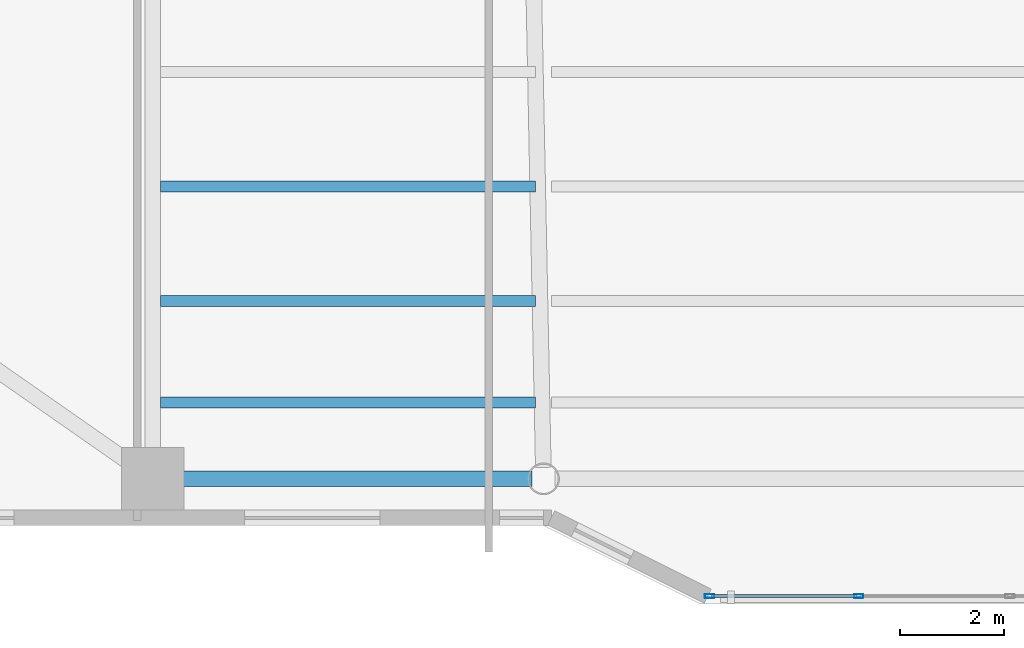
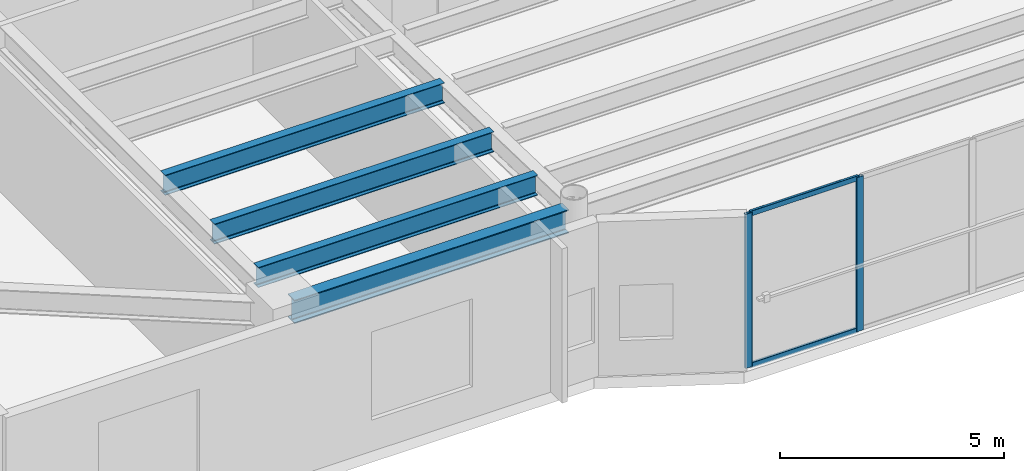
# One storey, part 3 of 39: 4 beams, 4 members, 1 element without a shape of its own.
"""IFC4 building model written with IfcOpenShell, lengths in metres."""

from ifc_helpers import new_model, si_unit, direction, frame, origin, origin_2d, place, context, subcontext, project, spatial, hollow_rectangle, i_section, extrude, material, layer, layer_set, material_profile, profile_set, type_object, element, aggregate, save


model = new_model("IFC4")

# Units and contexts
model_context = context("Model", 3, precision=1e-05, world=origin(), true_north=direction((0.0, 1.0)))
body_context = subcontext(model_context, "Body", "Model", "MODEL_VIEW")
ifc_project = project(units=[si_unit("LENGTHUNIT", "METRE"), si_unit("AREAUNIT", "SQUARE_METRE"), si_unit("VOLUMEUNIT", "CUBIC_METRE"), si_unit("PLANEANGLEUNIT", "RADIAN"), si_unit("MASSUNIT", "GRAM", prefix="KILO")], contexts=[model_context])

# Site, building, storey
site_placement = place(None, origin())
site = spatial("IfcSite", under=ifc_project, at=site_placement, CompositionType="ELEMENT")
building_placement = place(site_placement, origin())
building = spatial("IfcBuilding", under=site, at=building_placement, Name="Tarnavaz Court Tower", CompositionType="ELEMENT")
storey_placement = place(building_placement, frame((0.0, 0.0, 68.699951171875)))
storey = spatial("IfcBuildingStorey", under=building, at=storey_placement, Name="L18", CompositionType="ELEMENT", Elevation=68.699951171875)

# Beams
ifc_material_1 = material(Name="Steel S355", Category="steel")
ifc_material_profile_1 = material_profile(ifc_material_1, i_section(OverallWidth=0.2099609375, OverallDepth=0.550048828125, WebThickness=0.010986328125, FlangeThickness=0.01708984375, FilletRadius=0.02392578125, at=origin_2d()), Name="IPE 550")
ifc_profile_set_1 = profile_set([ifc_material_profile_1], Name="Steel S355")
beam_type_1 = type_object("IfcBeamType", Name="BM-J-IPE550", PredefinedType="JOIST", material=ifc_profile_set_1)
for number, where, z_axis, x_axis, name in (
    (1, (-14.85009765625, -17.18798828125, 3.925048828125), (1.0, 0.0, 0.0), (0.0, 1.0, 0.0), "L18 Beam JS3-1"),
    (2, (-14.85009765625, -19.384033203125, 3.925048828125), (1.0, 0.0, 0.0), (0.0, 1.0, 0.0), "L18 Beam JS4-1"),
    (3, (-14.85009765625, -21.3359375, 3.925048828125), (1.0, 0.0, 0.0), (0.0, 1.0, 0.0), "L18 Beam JS5-1"),
):
    element("IfcBeam", number, at=place(storey_placement, frame(where, z_axis=z_axis, x_axis=x_axis)), inside=storey, type_object=beam_type_1, Name=name, PredefinedType="JOIST", context=body_context, shape_type="SweptSolid", body=[
        extrude(i_section(OverallWidth=0.2099609375, OverallDepth=0.550048828125, WebThickness=0.010986328125, FlangeThickness=0.01708984375, FilletRadius=0.02392578125, at=origin_2d()), origin(), (0.0, 0.0, 1.0), 7.2001953125),
    ])
ifc_material_profile_2 = material_profile(ifc_material_1, i_section(OverallWidth=0.300048828125, OverallDepth=0.639892578125, WebThickness=0.013427734375, FlangeThickness=0.02587890625, FilletRadius=0.027099609375, at=origin_2d()), Name="HEA 650")
ifc_profile_set_2 = profile_set([ifc_material_profile_2], Name="Steel S355")
beam_type_2 = type_object("IfcBeamType", Name="BM-SP-HEA650", PredefinedType="SPANDREL", material=ifc_profile_set_2)
beam_placement = place(storey_placement, frame((-14.780029296875, -22.800048828125, 3.880126953125), z_axis=(1.0, 0.0, 0.0), x_axis=(0.0, 1.0, 0.0)))
element("IfcBeam", 4, at=beam_placement, inside=storey, type_object=beam_type_2, Name="L18 Beam PR-PS-1-PS-2", PredefinedType="SPANDREL", context=body_context, shape_type="SweptSolid", body=[
    extrude(i_section(OverallWidth=0.300048828125, OverallDepth=0.639892578125, WebThickness=0.013427734375, FlangeThickness=0.02587890625, FilletRadius=0.027099609375, at=origin_2d()), origin(), (0.0, 0.0, 1.0), 7.06005859375),
])

# Curtain wall, members
ifc_material_2 = material(Name="Anodised Aluminium 6063-T6 and Solar Low-E Glazing", Category="aluminium")
ifc_layer = layer(ifc_material_2, 0.179931640625)
ifc_layer_set = layer_set([ifc_layer], Name="Anodised Aluminium 6063-T6 and Solar Low-E Glazing")
curtain_wall_type = type_object("IfcCurtainWallType", Name="CW-SYS-02", PredefinedType="NOTDEFINED", material=ifc_layer_set)
curtain_wall_placement = place(storey_placement, origin())
curtain_wall = element("IfcCurtainWall", 5, at=curtain_wall_placement, inside=storey, type_object=curtain_wall_type, Name="L18 Iwan Prow Curtain Wall 17", PredefinedType="NOTDEFINED")
ifc_material_3 = material(Name="Anodised Aluminium 6063-T6", Category="aluminium")
ifc_material_profile_3 = material_profile(ifc_material_3, hollow_rectangle(XDim=0.074951171875, YDim=0.179931640625, WallThickness=0.0048828125, InnerFilletRadius=0.0048828125, OuterFilletRadius=0.010009765625, at=origin_2d()), Name="ALU RHS 180X75X5")
ifc_profile_set_3 = profile_set([ifc_material_profile_3], Name="Anodised Aluminium 6063-T6")
member_type_1 = type_object("IfcMemberType", Name="CW-MUL-180", PredefinedType="MULLION", material=ifc_profile_set_3)
member_1_placement = place(storey_placement, frame((-1.449951171875, -25.050048828125, 0.0), z_axis=(0.0, 0.0, 1.0), x_axis=(0.0, -1.0, 0.0)))
member_1 = element("IfcMember", 6, at=member_1_placement, type_object=member_type_1, Name="CW mullion 3", PredefinedType="MULLION", context=body_context, shape_type="SweptSolid", body=[
    extrude(hollow_rectangle(XDim=0.074951171875, YDim=0.179931640625, WallThickness=0.0048828125, InnerFilletRadius=0.0048828125, OuterFilletRadius=0.010009765625, at=origin_2d()), origin(), (0.0, 0.0, 1.0), 4.199951171875),
])
member_2_placement = place(storey_placement, frame((-4.3125, -25.050048828125, 0.0), z_axis=(0.0, 0.0, 1.0), x_axis=(0.0, -1.0, 0.0)))
member_2 = element("IfcMember", 7, at=member_2_placement, type_object=member_type_1, Name="CW mullion 4", PredefinedType="MULLION", context=body_context, shape_type="SweptSolid", body=[
    extrude(hollow_rectangle(XDim=0.074951171875, YDim=0.179931640625, WallThickness=0.0048828125, InnerFilletRadius=0.0048828125, OuterFilletRadius=0.010009765625, at=origin_2d()), origin(), (0.0, 0.0, 1.0), 4.199951171875),
])
ifc_material_profile_4 = material_profile(ifc_material_3, hollow_rectangle(XDim=0.06494140625, YDim=0.139892578125, WallThickness=0.00390625, InnerFilletRadius=0.00390625, OuterFilletRadius=0.008056640625, at=origin_2d()), Name="ALU RHS 140X65X4")
ifc_profile_set_4 = profile_set([ifc_material_profile_4], Name="Anodised Aluminium 6063-T6")
member_type_2 = type_object("IfcMemberType", Name="CW-TRN-140", PredefinedType="USERDEFINED", material=ifc_profile_set_4)
member_3_placement = place(storey_placement, frame((-1.487548828125, -25.050048828125, 0.032470703125), z_axis=(-1.0, 0.0, 0.0), x_axis=(0.0, -1.0, 0.0)))
member_3 = element("IfcMember", 8, at=member_3_placement, type_object=member_type_2, Name="CW transom 3.1", ObjectType="TRANSOM", PredefinedType="USERDEFINED", context=body_context, shape_type="SweptSolid", body=[
    extrude(hollow_rectangle(XDim=0.06494140625, YDim=0.139892578125, WallThickness=0.00390625, InnerFilletRadius=0.00390625, OuterFilletRadius=0.008056640625, at=origin_2d()), origin(), (0.0, 0.0, 1.0), 2.787353515625),
])
member_4_placement = place(storey_placement, frame((-1.487548828125, -25.050048828125, 4.16748046875), z_axis=(-1.0, 0.0, 0.0), x_axis=(0.0, -1.0, 0.0)))
member_4 = element("IfcMember", 9, at=member_4_placement, type_object=member_type_2, Name="CW transom 3.2", ObjectType="TRANSOM", PredefinedType="USERDEFINED", context=body_context, shape_type="SweptSolid", body=[
    extrude(hollow_rectangle(XDim=0.06494140625, YDim=0.139892578125, WallThickness=0.00390625, InnerFilletRadius=0.00390625, OuterFilletRadius=0.008056640625, at=origin_2d()), origin(), (0.0, 0.0, 1.0), 2.787353515625),
])
aggregate(curtain_wall, [member_1, member_2, member_3, member_4])

save(model, "model.ifc")
